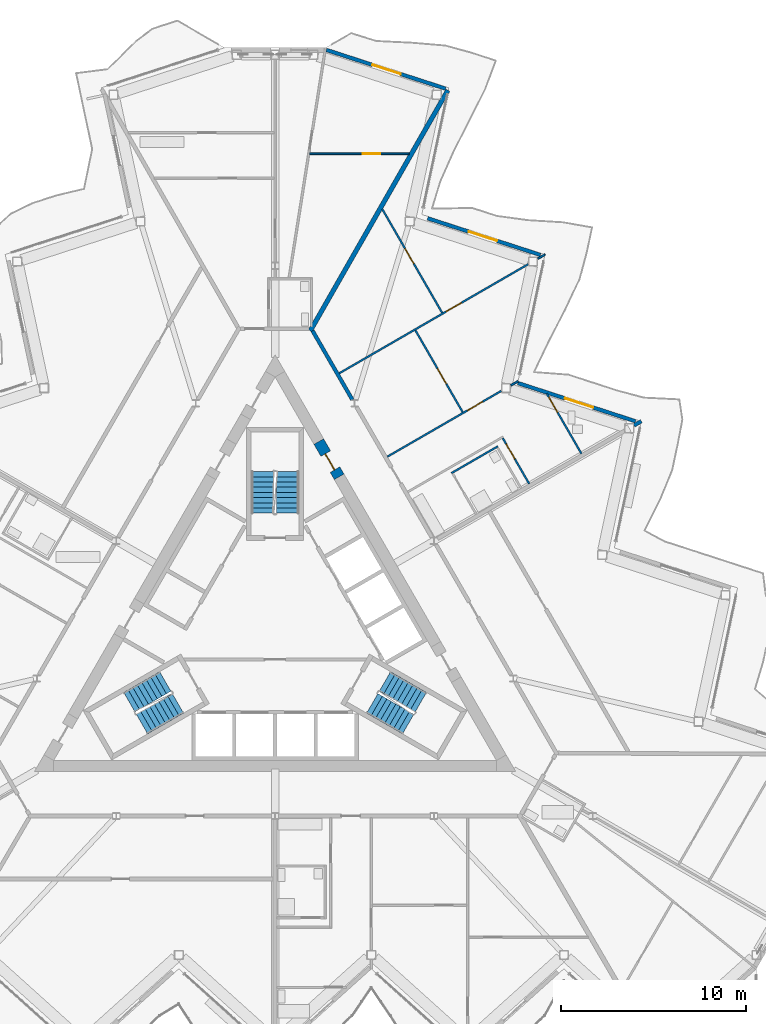
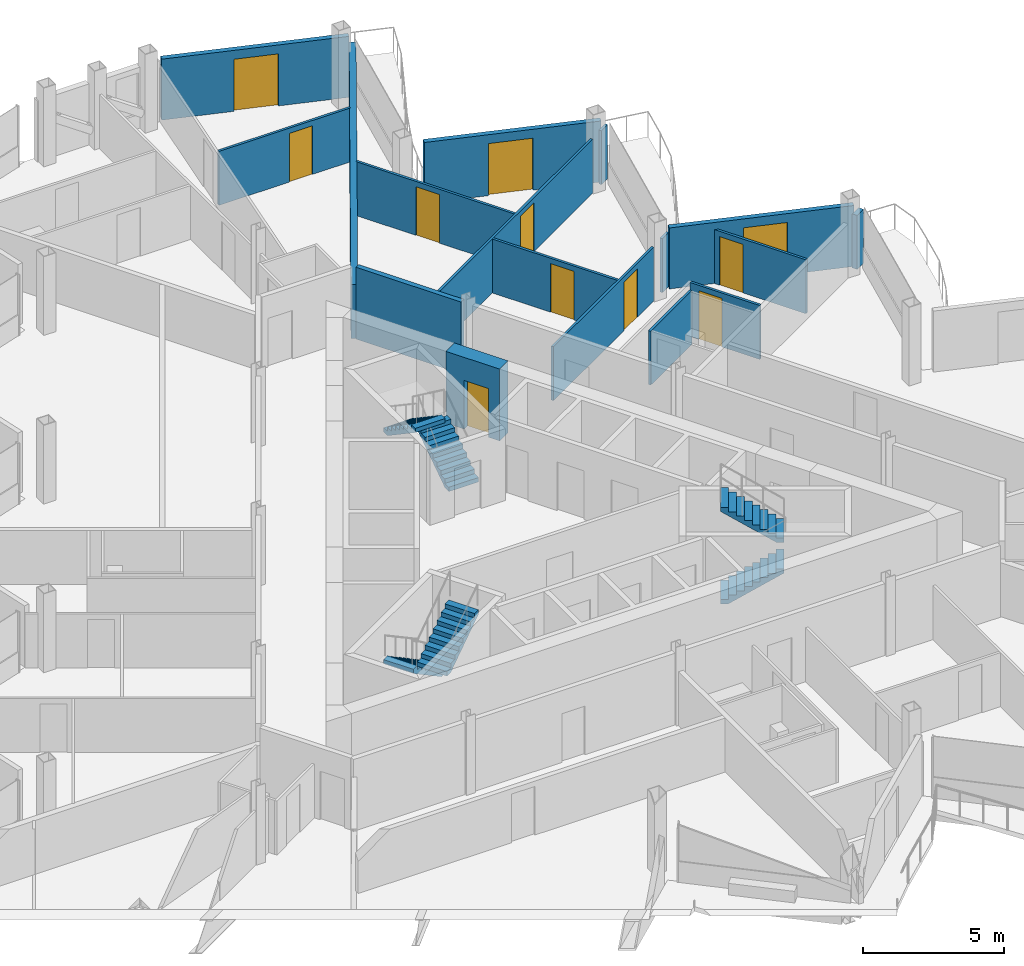
# One storey, part 18 of 27: 17 walls, 11 doors, 6 stair flights, 11 openings, 3 elements without a shape of their own.
"""IFC4 building model written with IfcOpenShell, lengths in metres."""

from ifc_helpers import new_model, si_unit, direction, frame, frame_2d, origin, place, context, subcontext, project, spatial, polyline, rectangle, outline, extrude, material, layer, layer_set, type_object, element, fill, aggregate, save


model = new_model("IFC4")

# Units and contexts
model_context = context("Model", 3, precision=1e-05, world=origin(), true_north=direction((0.0, 1.0)))
body_context = subcontext(model_context, "Body", "Model", "MODEL_VIEW")
ifc_project = project(units=[si_unit("LENGTHUNIT", "METRE"), si_unit("AREAUNIT", "SQUARE_METRE"), si_unit("VOLUMEUNIT", "CUBIC_METRE"), si_unit("PLANEANGLEUNIT", "RADIAN"), si_unit("MASSUNIT", "GRAM", prefix="KILO")], contexts=[model_context])

# Site, building, storey
site_placement = place(None, origin())
site = spatial("IfcSite", under=ifc_project, at=site_placement, CompositionType="ELEMENT")
building_placement = place(site_placement, origin())
building = spatial("IfcBuilding", under=site, at=building_placement, Name="Cormorant Prow Tower", CompositionType="ELEMENT")
storey_placement = place(building_placement, frame((0.0, 0.0, 361.0)))
storey = spatial("IfcBuildingStorey", under=building, at=storey_placement, Name="L80", CompositionType="ELEMENT", Elevation=361.0)

# Wall, opening, door
ifc_material_1 = material(Name="Concrete 8000 psi", Category="concrete")
ifc_layer_1 = layer(ifc_material_1, 0.60009765625)
ifc_layer_set_1 = layer_set([ifc_layer_1], Name="Concrete 8000 psi")
wall_type_1 = type_object("IfcWallType", Name="Core shear wall 600", PredefinedType="SHEAR", material=ifc_layer_set_1)
wall_1_placement = place(storey_placement, frame((3.460693359375, 8.416748046875, 0.0), z_axis=(0.0, 0.0, 1.0), x_axis=(-0.499946605688, 0.86605622881, 0.0)))
wall_1 = element("IfcWall", 1, at=wall_1_placement, inside=storey, type_object=wall_type_1, Name="Core wall door panel", PredefinedType="SHEAR", context=body_context, shape_type="SweptSolid", body=[
    extrude(rectangle(XDim=2.199951171875, YDim=0.60009765625, at=frame_2d((1.10009765625, 0.0))), origin(), (0.0, 0.0, 1.0), 3.10009765625),
])
opening_1_placement = place(wall_1_placement, frame((0.449951171875, 0.0, 0.0)))
opening_1 = element("IfcOpeningElement", 2, at=opening_1_placement, cuts=wall_1, Name="Opening L80-C17", PredefinedType="OPENING", context=body_context, shape_type="SweptSolid", body=[
    extrude(rectangle(XDim=1.0, YDim=2.10009765625, at=frame_2d((0.5, 1.050048828125))), frame((0.0, 0.31005859375, 0.0), z_axis=(0.0, -1.0, 0.0), x_axis=(1.0, 0.0, 0.0)), (0.0, 0.0, 1.0), 0.6201171875),
])
ifc_material_2 = material(Name="Painted steel", Category="steel")
door_type_1 = type_object("IfcDoorType", Name="Service door 1000x2100", OperationType="NOTDEFINED", PredefinedType="DOOR", material=ifc_material_2)
door_1_placement = place(opening_1_placement, origin())
door_1 = element("IfcDoor", 3, at=door_1_placement, inside=storey, type_object=door_type_1, Name="Core door, Mechanical riser room", OperationType="SINGLE_SWING_RIGHT", OverallHeight=2.10009765625, OverallWidth=1.0, PredefinedType="DOOR", context=body_context, shape_type="SweptSolid", body=[
    extrude(rectangle(XDim=1.0, YDim=2.10009765625, at=frame_2d((0.5, 1.050048828125))), frame((0.0, 0.05517578125, 0.0), z_axis=(0.0, -1.0, 0.0), x_axis=(1.0, 0.0, 0.0)), (0.0, 0.0, 1.0), 0.050048828125),
])
fill(opening_1, door_1)

# Walls
ifc_material_3 = material(Name="Gypsum board corridor wall")
ifc_layer_2 = layer(ifc_material_3, 0.199951171875)
ifc_layer_set_2 = layer_set([ifc_layer_2], Name="Gypsum board corridor wall")
wall_type_2 = type_object("IfcWallType", Name="Corridor wall 200", PredefinedType="PARTITIONING", material=ifc_layer_set_2)
wall_2_placement = place(storey_placement, frame((2.025390625, 16.302978515625, 0.0), z_axis=(0.0, 0.0, 1.0), x_axis=(0.500004215162, -0.866022970146, 0.0)))
element("IfcWall", 4, at=wall_2_placement, inside=storey, type_object=wall_type_2, Name="Corridor wall", PredefinedType="PARTITIONING", context=body_context, shape_type="SweptSolid", body=[
    extrude(rectangle(XDim=4.30029296875, YDim=0.199951171875, at=frame_2d((2.150146484375, 0.0))), origin(), (0.0, 0.0, 1.0), 3.10009765625),
])
ifc_material_4 = material(Name="Gypsum board demising wall")
ifc_layer_3 = layer(ifc_material_4, 0.199951171875)
ifc_layer_set_3 = layer_set([ifc_layer_3], Name="Gypsum board demising wall")
wall_type_3 = type_object("IfcWallType", Name="Demising wall 200", PredefinedType="PARTITIONING", material=ifc_layer_set_3)
wall_3_placement = place(storey_placement, frame((19.388671875, 11.194091796875, 0.0), z_axis=(0.0, 0.0, 1.0), x_axis=(0.866104518135, 0.499862944882, 0.0)))
element("IfcWall", 5, at=wall_3_placement, inside=storey, type_object=wall_type_3, Name="Demising wall", PredefinedType="PARTITIONING", context=body_context, shape_type="SweptSolid", body=[
    extrude(rectangle(XDim=0.451416015625, YDim=0.199951171875, at=frame_2d((0.2255859375, 0.0))), origin(), (0.0, 0.0, 1.0), 2.330078125),
])

# Wall, opening, door
ifc_material_5 = material(Name="Gypsum board partition")
ifc_layer_4 = layer(ifc_material_5, 0.10009765625)
ifc_layer_set_4 = layer_set([ifc_layer_4], Name="Gypsum board partition")
wall_type_4 = type_object("IfcWallType", Name="Internal partition 100", PredefinedType="PARTITIONING", material=ifc_layer_set_4)
wall_4_placement = place(storey_placement, frame((3.465087890625, 14.009521484375, 0.0), z_axis=(0.0, 0.0, 1.0), x_axis=(0.866032376801, 0.499987922186, 0.0)))
wall_4 = element("IfcWall", 6, at=wall_4_placement, inside=storey, type_object=wall_type_4, Name="Internal partition", PredefinedType="PARTITIONING", context=body_context, shape_type="SweptSolid", body=[
    extrude(rectangle(XDim=11.781982421875, YDim=0.10009765625, at=frame_2d((5.89111328125, 0.0))), origin(), (0.0, 0.0, 1.0), 2.330078125),
])
opening_2_placement = place(wall_4_placement, frame((6.669921875, 0.0, 0.0)))
opening_2 = element("IfcOpeningElement", 7, at=opening_2_placement, cuts=wall_4, Name="Opening L80-F25", PredefinedType="OPENING", context=body_context, shape_type="SweptSolid", body=[
    extrude(rectangle(XDim=0.949951171875, YDim=2.10009765625, at=frame_2d((0.47509765625, 1.050048828125))), frame((0.0, 0.06005859375, 0.0), z_axis=(0.0, -1.0, 0.0), x_axis=(1.0, 0.0, 0.0)), (0.0, 0.0, 1.0), 0.1201171875),
])
ifc_material_6 = material(Name="Timber door leaf", Category="wood")
door_type_2 = type_object("IfcDoorType", Name="Bathroom door 950x2100", OperationType="NOTDEFINED", PredefinedType="DOOR", material=ifc_material_6)
door_2_placement = place(opening_2_placement, origin())
door_2 = element("IfcDoor", 8, at=door_2_placement, inside=storey, type_object=door_type_2, Name="Bedroom door", OperationType="SINGLE_SWING_LEFT", OverallHeight=2.10009765625, OverallWidth=0.949951171875, PredefinedType="DOOR", context=body_context, shape_type="SweptSolid", body=[
    extrude(rectangle(XDim=0.949951171875, YDim=2.10009765625, at=frame_2d((0.47509765625, 1.050048828125))), frame((0.0, 0.02490234375, 0.0), z_axis=(0.0, -1.0, 0.0), x_axis=(1.0, 0.0, 0.0)), (0.0, 0.0, 1.0), 0.050048828125),
])
fill(opening_2, door_2)

wall_5_placement = place(storey_placement, frame((6.065185546875, 9.506103515625, 0.0), z_axis=(0.0, 0.0, 1.0), x_axis=(0.866018949465, 0.500011179042, 0.0)))
wall_5 = element("IfcWall", 9, at=wall_5_placement, inside=storey, type_object=wall_type_4, Name="Internal partition", PredefinedType="PARTITIONING", context=body_context, shape_type="SweptSolid", body=[
    extrude(rectangle(XDim=7.099853515625, YDim=0.10009765625, at=frame_2d((3.5498046875, 0.0))), origin(), (0.0, 0.0, 1.0), 2.330078125),
])
opening_3_placement = place(wall_5_placement, frame((4.991943359375, 0.0, 0.0)))
opening_3 = element("IfcOpeningElement", 10, at=opening_3_placement, cuts=wall_5, Name="Opening L80-F23", PredefinedType="OPENING", context=body_context, shape_type="SweptSolid", body=[
    extrude(rectangle(XDim=0.949951171875, YDim=2.10009765625, at=frame_2d((0.47509765625, 1.050048828125))), frame((0.0, 0.06005859375, 0.0), z_axis=(0.0, -1.0, 0.0), x_axis=(1.0, 0.0, 0.0)), (0.0, 0.0, 1.0), 0.1201171875),
])
door_3_placement = place(opening_3_placement, origin())
door_3 = element("IfcDoor", 11, at=door_3_placement, inside=storey, type_object=door_type_2, Name="Living room door", OperationType="SINGLE_SWING_LEFT", OverallHeight=2.10009765625, OverallWidth=0.949951171875, PredefinedType="DOOR", context=body_context, shape_type="SweptSolid", body=[
    extrude(rectangle(XDim=0.949951171875, YDim=2.10009765625, at=frame_2d((0.47509765625, 1.050048828125))), frame((0.0, 0.02490234375, 0.0), z_axis=(0.0, -1.0, 0.0), x_axis=(1.0, 0.0, 0.0)), (0.0, 0.0, 1.0), 0.050048828125),
])
fill(opening_3, door_3)

wall_6_placement = place(storey_placement, frame((5.787353515625, 22.882080078125, 0.0), z_axis=(0.0, 0.0, 1.0), x_axis=(0.500001069878, -0.866024786089, 0.0)))
wall_6 = element("IfcWall", 12, at=wall_6_placement, inside=storey, type_object=wall_type_4, Name="Internal partition", PredefinedType="PARTITIONING", context=body_context, shape_type="SweptSolid", body=[
    extrude(rectangle(XDim=6.47265625, YDim=0.10009765625, at=frame_2d((3.236328125, 0.0))), origin(), (0.0, 0.0, 1.0), 2.330078125),
])
opening_4_placement = place(wall_6_placement, frame((2.4599609375, 0.0, 0.0)))
opening_4 = element("IfcOpeningElement", 13, at=opening_4_placement, cuts=wall_6, Name="Opening L80-F26", PredefinedType="OPENING", context=body_context, shape_type="SweptSolid", body=[
    extrude(rectangle(XDim=0.949951171875, YDim=2.10009765625, at=frame_2d((0.47509765625, 1.050048828125))), frame((0.0, 0.06005859375, 0.0), z_axis=(0.0, -1.0, 0.0), x_axis=(1.0, 0.0, 0.0)), (0.0, 0.0, 1.0), 0.1201171875),
])
door_4_placement = place(opening_4_placement, origin())
door_4 = element("IfcDoor", 14, at=door_4_placement, inside=storey, type_object=door_type_2, Name="Bedroom door", OperationType="SINGLE_SWING_LEFT", OverallHeight=2.10009765625, OverallWidth=0.949951171875, PredefinedType="DOOR", context=body_context, shape_type="SweptSolid", body=[
    extrude(rectangle(XDim=0.949951171875, YDim=2.10009765625, at=frame_2d((0.47509765625, 1.050048828125))), frame((0.0, 0.02490234375, 0.0), z_axis=(0.0, -1.0, 0.0), x_axis=(1.0, 0.0, 0.0)), (0.0, 0.0, 1.0), 0.050048828125),
])
fill(opening_4, door_4)

wall_7_placement = place(storey_placement, frame((1.8671875, 25.865478515625, 0.0), z_axis=(0.0, 0.0, 1.0), x_axis=(1.0, 0.0, 0.0)))
wall_7 = element("IfcWall", 15, at=wall_7_placement, inside=storey, type_object=wall_type_4, Name="Internal partition", PredefinedType="PARTITIONING", context=body_context, shape_type="SweptSolid", body=[
    extrude(rectangle(XDim=5.37646484375, YDim=0.10009765625, at=frame_2d((2.688232421875, 0.0))), origin(), (0.0, 0.0, 1.0), 2.330078125),
])
opening_5_placement = place(wall_7_placement, frame((2.86767578125, 0.0, 0.0)))
opening_5 = element("IfcOpeningElement", 16, at=opening_5_placement, cuts=wall_7, Name="Opening L80-F34", PredefinedType="OPENING", context=body_context, shape_type="SweptSolid", body=[
    extrude(rectangle(XDim=0.949951171875, YDim=2.10009765625, at=frame_2d((0.47509765625, 1.050048828125))), frame((0.0, 0.06005859375, 0.0), z_axis=(0.0, -1.0, 0.0), x_axis=(1.0, 0.0, 0.0)), (0.0, 0.0, 1.0), 0.1201171875),
])
door_5_placement = place(opening_5_placement, origin())
door_5 = element("IfcDoor", 17, at=door_5_placement, inside=storey, type_object=door_type_2, Name="Bedroom door", OperationType="SINGLE_SWING_RIGHT", OverallHeight=2.10009765625, OverallWidth=0.949951171875, PredefinedType="DOOR", context=body_context, shape_type="SweptSolid", body=[
    extrude(rectangle(XDim=0.949951171875, YDim=2.10009765625, at=frame_2d((0.47509765625, 1.050048828125))), frame((0.0, 0.02490234375, 0.0), z_axis=(0.0, -1.0, 0.0), x_axis=(1.0, 0.0, 0.0)), (0.0, 0.0, 1.0), 0.050048828125),
])
fill(opening_5, door_5)

wall_8_placement = place(storey_placement, frame((7.580810546875, 16.327880859375, 0.0), z_axis=(0.0, 0.0, 1.0), x_axis=(0.500005610874, -0.86602216432, 0.0)))
wall_8 = element("IfcWall", 18, at=wall_8_placement, inside=storey, type_object=wall_type_4, Name="Internal partition", PredefinedType="PARTITIONING", context=body_context, shape_type="SweptSolid", body=[
    extrude(rectangle(XDim=5.10009765625, YDim=0.10009765625, at=frame_2d((2.550048828125, 0.0))), origin(), (0.0, 0.0, 1.0), 2.330078125),
])
opening_6_placement = place(wall_8_placement, frame((2.379150390625, 0.0, 0.0)))
opening_6 = element("IfcOpeningElement", 19, at=opening_6_placement, cuts=wall_8, Name="Opening L80-F24", PredefinedType="OPENING", context=body_context, shape_type="SweptSolid", body=[
    extrude(rectangle(XDim=0.949951171875, YDim=2.10009765625, at=frame_2d((0.47509765625, 1.050048828125))), frame((0.0, 0.06005859375, 0.0), z_axis=(0.0, -1.0, 0.0), x_axis=(1.0, 0.0, 0.0)), (0.0, 0.0, 1.0), 0.1201171875),
])
door_6_placement = place(opening_6_placement, origin())
door_6 = element("IfcDoor", 20, at=door_6_placement, inside=storey, type_object=door_type_2, Name="Bedroom door", OperationType="SINGLE_SWING_LEFT", OverallHeight=2.10009765625, OverallWidth=0.949951171875, PredefinedType="DOOR", context=body_context, shape_type="SweptSolid", body=[
    extrude(rectangle(XDim=0.949951171875, YDim=2.10009765625, at=frame_2d((0.47509765625, 1.050048828125))), frame((0.0, 0.02490234375, 0.0), z_axis=(0.0, -1.0, 0.0), x_axis=(1.0, 0.0, 0.0)), (0.0, 0.0, 1.0), 0.050048828125),
])
fill(opening_6, door_6)

wall_9_placement = place(storey_placement, frame((14.671142578125, 12.917724609375, 0.0), z_axis=(0.0, 0.0, 1.0), x_axis=(0.499981580887, -0.866036037803, 0.0)))
wall_9 = element("IfcWall", 21, at=wall_9_placement, inside=storey, type_object=wall_type_4, Name="Internal partition", PredefinedType="PARTITIONING", context=body_context, shape_type="SweptSolid", body=[
    extrude(rectangle(XDim=3.751708984375, YDim=0.10009765625, at=frame_2d((1.8759765625, 0.0))), origin(), (0.0, 0.0, 1.0), 2.330078125),
])
opening_7_placement = place(wall_9_placement, frame((0.222412109375, 0.0, 0.0)))
opening_7 = element("IfcOpeningElement", 22, at=opening_7_placement, cuts=wall_9, Name="Opening L80-F21", PredefinedType="OPENING", context=body_context, shape_type="SweptSolid", body=[
    extrude(rectangle(XDim=0.949951171875, YDim=2.10009765625, at=frame_2d((0.47509765625, 1.050048828125))), frame((0.0, 0.06005859375, 0.0), z_axis=(0.0, -1.0, 0.0), x_axis=(1.0, 0.0, 0.0)), (0.0, 0.0, 1.0), 0.1201171875),
])
door_7_placement = place(opening_7_placement, origin())
door_7 = element("IfcDoor", 23, at=door_7_placement, inside=storey, type_object=door_type_2, Name="Living room door", OperationType="SINGLE_SWING_LEFT", OverallHeight=2.10009765625, OverallWidth=0.949951171875, PredefinedType="DOOR", context=body_context, shape_type="SweptSolid", body=[
    extrude(rectangle(XDim=0.949951171875, YDim=2.10009765625, at=frame_2d((0.47509765625, 1.050048828125))), frame((0.0, 0.02490234375, 0.0), z_axis=(0.0, -1.0, 0.0), x_axis=(1.0, 0.0, 0.0)), (0.0, 0.0, 1.0), 0.050048828125),
])
fill(opening_7, door_7)

wall_10_placement = place(storey_placement, frame((12.299560546875, 10.507568359375, 0.0), z_axis=(0.0, 0.0, 1.0), x_axis=(0.499999279071, -0.866025820012, 0.0)))
wall_10 = element("IfcWall", 24, at=wall_10_placement, inside=storey, type_object=wall_type_4, Name="Internal partition", PredefinedType="PARTITIONING", context=body_context, shape_type="SweptSolid", body=[
    extrude(rectangle(XDim=2.85009765625, YDim=0.10009765625, at=frame_2d((1.425048828125, 0.0))), origin(), (0.0, 0.0, 1.0), 2.330078125),
])
opening_8_placement = place(wall_10_placement, frame((0.357666015625, 0.0, 0.0)))
opening_8 = element("IfcOpeningElement", 25, at=opening_8_placement, cuts=wall_10, Name="Opening L80-F22", PredefinedType="OPENING", context=body_context, shape_type="SweptSolid", body=[
    extrude(rectangle(XDim=0.949951171875, YDim=2.10009765625, at=frame_2d((0.47509765625, 1.050048828125))), frame((0.0, 0.06005859375, 0.0), z_axis=(0.0, -1.0, 0.0), x_axis=(1.0, 0.0, 0.0)), (0.0, 0.0, 1.0), 0.1201171875),
])
door_8_placement = place(opening_8_placement, origin())
door_8 = element("IfcDoor", 26, at=door_8_placement, inside=storey, type_object=door_type_2, Name="Living room door", OperationType="SINGLE_SWING_LEFT", OverallHeight=2.10009765625, OverallWidth=0.949951171875, PredefinedType="DOOR", context=body_context, shape_type="SweptSolid", body=[
    extrude(rectangle(XDim=0.949951171875, YDim=2.10009765625, at=frame_2d((0.47509765625, 1.050048828125))), frame((0.0, 0.02490234375, 0.0), z_axis=(0.0, -1.0, 0.0), x_axis=(1.0, 0.0, 0.0)), (0.0, 0.0, 1.0), 0.050048828125),
])
fill(opening_8, door_8)

# Walls
wall_11_placement = place(storey_placement, frame((9.5234375, 8.615966796875, 0.0), z_axis=(0.0, 0.0, 1.0), x_axis=(0.866032775405, 0.499987231761, 0.0)))
element("IfcWall", 27, at=wall_11_placement, inside=storey, type_object=wall_type_4, Name="Internal partition", PredefinedType="PARTITIONING", context=body_context, shape_type="SweptSolid", body=[
    extrude(rectangle(XDim=2.89990234375, YDim=0.10009765625, at=frame_2d((1.449951171875, 0.0))), origin(), (0.0, 0.0, 1.0), 2.330078125),
])
for number, where, z_axis, x_axis, name in (
    (28, (14.188720703125, 20.20068359375, 0.0), (0.0, 0.0, 1.0), (0.865870279271, 0.500268587336, 0.0), "Internal partition"),
    (29, (12.73388671875, 13.356201171875, 0.0), (0.0, 0.0, 1.0), (0.865870279271, 0.500268587336, 0.0), "Internal partition"),
):
    element("IfcWall", number, at=place(storey_placement, frame(where, z_axis=z_axis, x_axis=x_axis)), inside=storey, type_object=wall_type_4, Name=name, PredefinedType="PARTITIONING", context=body_context, shape_type="SweptSolid", body=[
        extrude(rectangle(XDim=0.451416015625, YDim=0.10009765625, at=frame_2d((0.2255859375, 0.0))), origin(), (0.0, 0.0, 1.0), 2.330078125),
    ])
ifc_material_7 = material(Name="Acoustic gypsum party wall")
ifc_layer_5 = layer(ifc_material_7, 0.25)
ifc_layer_set_5 = layer_set([ifc_layer_5], Name="Acoustic gypsum party wall")
wall_type_5 = type_object("IfcWallType", Name="Suite party wall 250", PredefinedType="PARTITIONING", material=ifc_layer_set_5)
wall_12_placement = place(storey_placement, frame((1.90087890625, 16.302490234375, 0.0), z_axis=(0.0, 0.0, 1.0), x_axis=(0.496368960053, 0.86811166073, 0.0)))
element("IfcWall", 30, at=wall_12_placement, inside=storey, type_object=wall_type_5, Name="Suite party wall", PredefinedType="PARTITIONING", context=body_context, shape_type="SweptSolid", body=[
    extrude(rectangle(XDim=14.972412109375, YDim=0.25, at=frame_2d((7.486328125, 0.0))), origin(), (0.0, 0.0, 1.0), 2.330078125),
])

# Wall, opening, door
ifc_material_8 = material(Name="Terracotta", Category="masonry")
ifc_layer_6 = layer(ifc_material_8, 0.199951171875)
ifc_layer_set_6 = layer_set([ifc_layer_6], Name="Terracotta")
wall_type_6 = type_object("IfcWallType", Name="Terracotta jamb wall 200", PredefinedType="SOLIDWALL", material=ifc_layer_set_6)
wall_13_placement = place(storey_placement, frame((19.466552734375, 11.416259765625, 0.0), z_axis=(0.0, 0.0, 1.0), x_axis=(-0.951057706878, 0.309013330114, 0.0)))
wall_13 = element("IfcWall", 31, at=wall_13_placement, inside=storey, type_object=wall_type_6, Name="Terracotta jamb wall ENE05", PredefinedType="SOLIDWALL", context=body_context, shape_type="SweptSolid", body=[
    extrude(rectangle(XDim=6.678466796875, YDim=0.199951171875, at=frame_2d((3.33935546875, 0.0))), origin(), (0.0, 0.0, 1.0), 2.6337890625),
])
opening_9_placement = place(wall_13_placement, frame((2.402099609375, 0.0, 0.0)))
opening_9 = element("IfcOpeningElement", 32, at=opening_9_placement, cuts=wall_13, Name="Opening ED80.08", PredefinedType="OPENING", context=body_context, shape_type="SweptSolid", body=[
    extrude(rectangle(XDim=1.60009765625, YDim=2.25, at=frame_2d((0.800048828125, 1.125))), frame((0.0, 0.10986328125, 0.0), z_axis=(0.0, -1.0, 0.0), x_axis=(1.0, 0.0, 0.0)), (0.0, 0.0, 1.0), 0.219970703125),
])
ifc_material_9 = material(Name="Aluminium 6063-T6", Category="aluminium")
door_type_3 = type_object("IfcDoorType", Name="Balcony door 1600x2250", OperationType="DOUBLE_DOOR_SINGLE_SWING", PredefinedType="DOOR", material=ifc_material_9)
door_9_placement = place(opening_9_placement, origin())
door_9 = element("IfcDoor", 33, at=door_9_placement, inside=storey, type_object=door_type_3, Name="Balcony door ENE05 ED80.08", OperationType="DOUBLE_DOOR_SINGLE_SWING", OverallHeight=2.25, OverallWidth=1.60009765625, PredefinedType="DOOR", context=body_context, shape_type="SweptSolid", body=[
    extrude(rectangle(XDim=1.60009765625, YDim=2.25, at=frame_2d((0.800048828125, 1.125))), frame((0.0, 0.02490234375, 0.0), z_axis=(0.0, -1.0, 0.0), x_axis=(1.0, 0.0, 0.0)), (0.0, 0.0, 1.0), 0.050048828125),
])
fill(opening_9, door_9)

wall_14_placement = place(storey_placement, frame((14.33056640625, 20.402099609375, 0.0), z_axis=(0.0, 0.0, 1.0), x_axis=(-0.951058447414, 0.30901105094, 0.0)))
wall_14 = element("IfcWall", 34, at=wall_14_placement, inside=storey, type_object=wall_type_6, Name="Terracotta jamb wall ENE07", PredefinedType="SOLIDWALL", context=body_context, shape_type="SweptSolid", body=[
    extrude(rectangle(XDim=6.40185546875, YDim=0.199951171875, at=frame_2d((3.200927734375, 0.0))), origin(), (0.0, 0.0, 1.0), 2.6337890625),
])
opening_10_placement = place(wall_14_placement, frame((2.46923828125, 0.0, 0.0)))
opening_10 = element("IfcOpeningElement", 35, at=opening_10_placement, cuts=wall_14, Name="Opening ED80.09", PredefinedType="OPENING", context=body_context, shape_type="SweptSolid", body=[
    extrude(rectangle(XDim=1.60009765625, YDim=2.25, at=frame_2d((0.800048828125, 1.125))), frame((0.0, 0.10986328125, 0.0), z_axis=(0.0, -1.0, 0.0), x_axis=(1.0, 0.0, 0.0)), (0.0, 0.0, 1.0), 0.219970703125),
])
door_10_placement = place(opening_10_placement, origin())
door_10 = element("IfcDoor", 36, at=door_10_placement, inside=storey, type_object=door_type_3, Name="Balcony door ENE07 ED80.09", OperationType="DOUBLE_DOOR_SINGLE_SWING", OverallHeight=2.25, OverallWidth=1.60009765625, PredefinedType="DOOR", context=body_context, shape_type="SweptSolid", body=[
    extrude(rectangle(XDim=1.60009765625, YDim=2.25, at=frame_2d((0.800048828125, 1.125))), frame((0.0, 0.02490234375, 0.0), z_axis=(0.0, -1.0, 0.0), x_axis=(1.0, 0.0, 0.0)), (0.0, 0.0, 1.0), 0.050048828125),
])
fill(opening_10, door_10)

wall_15_placement = place(storey_placement, frame((9.216064453125, 29.381103515625, 0.0), z_axis=(0.0, 0.0, 1.0), x_axis=(-0.951058150748, 0.309011964002, 0.0)))
wall_15 = element("IfcWall", 37, at=wall_15_placement, inside=storey, type_object=wall_type_6, Name="Terracotta jamb wall ENE09", PredefinedType="SOLIDWALL", context=body_context, shape_type="SweptSolid", body=[
    extrude(rectangle(XDim=6.77880859375, YDim=0.199951171875, at=frame_2d((3.389404296875, 0.0))), origin(), (0.0, 0.0, 1.0), 2.6337890625),
])
opening_11_placement = place(wall_15_placement, frame((2.559326171875, 0.0, 0.0)))
opening_11 = element("IfcOpeningElement", 38, at=opening_11_placement, cuts=wall_15, Name="Opening ED80.10", PredefinedType="OPENING", context=body_context, shape_type="SweptSolid", body=[
    extrude(rectangle(XDim=1.60009765625, YDim=2.25, at=frame_2d((0.800048828125, 1.125))), frame((0.0, 0.10986328125, 0.0), z_axis=(0.0, -1.0, 0.0), x_axis=(1.0, 0.0, 0.0)), (0.0, 0.0, 1.0), 0.219970703125),
])
door_11_placement = place(opening_11_placement, origin())
door_11 = element("IfcDoor", 39, at=door_11_placement, inside=storey, type_object=door_type_3, Name="Balcony door ENE09 ED80.10", OperationType="DOUBLE_DOOR_SINGLE_SWING", OverallHeight=2.25, OverallWidth=1.60009765625, PredefinedType="DOOR", context=body_context, shape_type="SweptSolid", body=[
    extrude(rectangle(XDim=1.60009765625, YDim=2.25, at=frame_2d((0.800048828125, 1.125))), frame((0.0, 0.02490234375, 0.0), z_axis=(0.0, -1.0, 0.0), x_axis=(1.0, 0.0, 0.0)), (0.0, 0.0, 1.0), 0.050048828125),
])
fill(opening_11, door_11)

# Stair, stair flights
ifc_material_10 = material(Name="Exit stair 18 risers")
stair_type = type_object("IfcStairType", Name="Exit stair 18 risers", PredefinedType="HALF_TURN_STAIR", material=ifc_material_10)
stair_1_placement = place(storey_placement, origin())
stair_1 = element("IfcStair", 40, at=stair_1_placement, inside=storey, type_object=stair_type, Name="L80 Exit stair ST1", PredefinedType="HALF_TURN_STAIR")
ifc_material_11 = material(Name="Concrete 5000 psi", Category="concrete")
stair_flight_type = type_object("IfcStairFlightType", Name="Stair flight 1219", PredefinedType="STRAIGHT", material=ifc_material_11)
stair_flight_1_placement = place(storey_placement, frame((-5.93310546875, -2.635009765625, 0.0), z_axis=(0.0, 0.0, 1.0), x_axis=(-0.866025403784, -0.5, 0.0)))
stair_flight_1 = element("IfcStairFlight", 41, at=stair_flight_1_placement, type_object=stair_flight_type, Name="ST1 flight 1", NumberOfRisers=9, NumberOfTreads=8, PredefinedType="STRAIGHT", RiserHeight=0.188888889, TreadLength=0.28, context=body_context, shape_type="SweptSolid", body=[
    extrude(outline(polyline([(0.0, 0.0), (0.0, 0.18896484375), (0.280029296875, 0.18896484375), (0.280029296875, 0.377685546875), (0.56005859375, 0.377685546875), (0.56005859375, 0.566650390625), (0.840087890625, 0.566650390625), (0.840087890625, 0.755615234375), (1.1201171875, 0.755615234375), (1.1201171875, 0.9443359375), (1.39990234375, 0.9443359375), (1.39990234375, 1.13330078125), (1.679931640625, 1.13330078125), (1.679931640625, 1.322265625), (1.9599609375, 1.322265625), (1.9599609375, 1.51123046875), (2.239990234375, 1.51123046875), (2.239990234375, 1.699951171875), (2.239990234375, 1.330322265625), (0.26806640625, 0.0), (0.0, 0.0)])), frame((0.0, 0.609375, 0.0), z_axis=(0.0, -1.0, 0.0), x_axis=(1.0, 0.0, 0.0)), (0.0, 0.0, 1.0), 1.218994140625),
])
stair_flight_2_placement = place(storey_placement, frame((-7.1884765625, -4.940673828125, 1.699951171875), z_axis=(0.0, 0.0, 1.0), x_axis=(0.866025403784, 0.5, 0.0)))
stair_flight_2 = element("IfcStairFlight", 42, at=stair_flight_2_placement, type_object=stair_flight_type, Name="ST1 flight 2", NumberOfRisers=9, NumberOfTreads=8, PredefinedType="STRAIGHT", RiserHeight=0.188888889, TreadLength=0.28, context=body_context, shape_type="SweptSolid", body=[
    extrude(outline(polyline([(0.0, 0.0), (0.0, 0.18896484375), (0.280029296875, 0.18896484375), (0.280029296875, 0.377685546875), (0.56005859375, 0.377685546875), (0.56005859375, 0.566650390625), (0.840087890625, 0.566650390625), (0.840087890625, 0.755615234375), (1.1201171875, 0.755615234375), (1.1201171875, 0.9443359375), (1.39990234375, 0.9443359375), (1.39990234375, 1.13330078125), (1.679931640625, 1.13330078125), (1.679931640625, 1.322265625), (1.9599609375, 1.322265625), (1.9599609375, 1.51123046875), (2.239990234375, 1.51123046875), (2.239990234375, 1.699951171875), (2.239990234375, 1.330322265625), (0.26806640625, 0.0), (0.0, 0.0)])), frame((0.0, 0.609375, 0.0), z_axis=(0.0, -1.0, 0.0), x_axis=(1.0, 0.0, 0.0)), (0.0, 0.0, 1.0), 1.218994140625),
])
aggregate(stair_1, [stair_flight_1, stair_flight_2])

stair_2_placement = place(storey_placement, origin())
stair_2 = element("IfcStair", 43, at=stair_2_placement, inside=storey, type_object=stair_type, Name="L80 Exit stair ST2", PredefinedType="HALF_TURN_STAIR")
stair_flight_3_placement = place(storey_placement, frame((5.24853515625, -3.82080078125, 0.0), z_axis=(0.0, 0.0, 1.0), x_axis=(0.866025403784, -0.5, 0.0)))
stair_flight_3 = element("IfcStairFlight", 44, at=stair_flight_3_placement, type_object=stair_flight_type, Name="ST2 flight 1", NumberOfRisers=9, NumberOfTreads=8, PredefinedType="STRAIGHT", RiserHeight=0.188888889, TreadLength=0.28, context=body_context, shape_type="SweptSolid", body=[
    extrude(outline(polyline([(0.0, 0.0), (0.0, 0.18896484375), (0.280029296875, 0.18896484375), (0.280029296875, 0.377685546875), (0.56005859375, 0.377685546875), (0.56005859375, 0.566650390625), (0.840087890625, 0.566650390625), (0.840087890625, 0.755615234375), (1.1201171875, 0.755615234375), (1.1201171875, 0.9443359375), (1.39990234375, 0.9443359375), (1.39990234375, 1.13330078125), (1.679931640625, 1.13330078125), (1.679931640625, 1.322265625), (1.9599609375, 1.322265625), (1.9599609375, 1.51123046875), (2.239990234375, 1.51123046875), (2.239990234375, 1.699951171875), (2.239990234375, 1.330322265625), (0.26806640625, 0.0), (0.0, 0.0)])), frame((0.0, 0.609375, 0.0), z_axis=(0.0, -1.0, 0.0), x_axis=(1.0, 0.0, 0.0)), (0.0, 0.0, 1.0), 1.218994140625),
])
stair_flight_4_placement = place(storey_placement, frame((7.873046875, -3.755126953125, 1.699951171875), z_axis=(0.0, 0.0, 1.0), x_axis=(-0.866025403784, 0.5, 0.0)))
stair_flight_4 = element("IfcStairFlight", 45, at=stair_flight_4_placement, type_object=stair_flight_type, Name="ST2 flight 2", NumberOfRisers=9, NumberOfTreads=8, PredefinedType="STRAIGHT", RiserHeight=0.188888889, TreadLength=0.28, context=body_context, shape_type="SweptSolid", body=[
    extrude(outline(polyline([(0.0, 0.0), (0.0, 0.18896484375), (0.280029296875, 0.18896484375), (0.280029296875, 0.377685546875), (0.56005859375, 0.377685546875), (0.56005859375, 0.566650390625), (0.840087890625, 0.566650390625), (0.840087890625, 0.755615234375), (1.1201171875, 0.755615234375), (1.1201171875, 0.9443359375), (1.39990234375, 0.9443359375), (1.39990234375, 1.13330078125), (1.679931640625, 1.13330078125), (1.679931640625, 1.322265625), (1.9599609375, 1.322265625), (1.9599609375, 1.51123046875), (2.239990234375, 1.51123046875), (2.239990234375, 1.699951171875), (2.239990234375, 1.330322265625), (0.26806640625, 0.0), (0.0, 0.0)])), frame((0.0, 0.609375, 0.0), z_axis=(0.0, -1.0, 0.0), x_axis=(1.0, 0.0, 0.0)), (0.0, 0.0, 1.0), 1.218994140625),
])
aggregate(stair_2, [stair_flight_3, stair_flight_4])

stair_3_placement = place(storey_placement, origin())
stair_3 = element("IfcStair", 46, at=stair_3_placement, inside=storey, type_object=stair_type, Name="L80 Exit stair ST3", PredefinedType="HALF_TURN_STAIR")
stair_flight_5_placement = place(storey_placement, frame((0.6845703125, 6.455810546875, 0.0), z_axis=(0.0, 0.0, 1.0), x_axis=(0.0, 1.0, 0.0)))
stair_flight_5 = element("IfcStairFlight", 47, at=stair_flight_5_placement, type_object=stair_flight_type, Name="ST3 flight 1", NumberOfRisers=9, NumberOfTreads=8, PredefinedType="STRAIGHT", RiserHeight=0.188888889, TreadLength=0.28, context=body_context, shape_type="SweptSolid", body=[
    extrude(outline(polyline([(0.0, 0.0), (0.0, 0.18896484375), (0.280029296875, 0.18896484375), (0.280029296875, 0.377685546875), (0.56005859375, 0.377685546875), (0.56005859375, 0.566650390625), (0.840087890625, 0.566650390625), (0.840087890625, 0.755615234375), (1.1201171875, 0.755615234375), (1.1201171875, 0.9443359375), (1.39990234375, 0.9443359375), (1.39990234375, 1.13330078125), (1.679931640625, 1.13330078125), (1.679931640625, 1.322265625), (1.9599609375, 1.322265625), (1.9599609375, 1.51123046875), (2.239990234375, 1.51123046875), (2.239990234375, 1.699951171875), (2.239990234375, 1.330322265625), (0.26806640625, 0.0), (0.0, 0.0)])), frame((0.0, 0.609375, 0.0), z_axis=(0.0, -1.0, 0.0), x_axis=(1.0, 0.0, 0.0)), (0.0, 0.0, 1.0), 1.218994140625),
])
stair_flight_6_placement = place(storey_placement, frame((-0.6845703125, 8.69580078125, 1.699951171875), z_axis=(0.0, 0.0, 1.0), x_axis=(0.0, -1.0, 0.0)))
stair_flight_6 = element("IfcStairFlight", 48, at=stair_flight_6_placement, type_object=stair_flight_type, Name="ST3 flight 2", NumberOfRisers=9, NumberOfTreads=8, PredefinedType="STRAIGHT", RiserHeight=0.188888889, TreadLength=0.28, context=body_context, shape_type="SweptSolid", body=[
    extrude(outline(polyline([(0.0, 0.0), (0.0, 0.18896484375), (0.280029296875, 0.18896484375), (0.280029296875, 0.377685546875), (0.56005859375, 0.377685546875), (0.56005859375, 0.566650390625), (0.840087890625, 0.566650390625), (0.840087890625, 0.755615234375), (1.1201171875, 0.755615234375), (1.1201171875, 0.9443359375), (1.39990234375, 0.9443359375), (1.39990234375, 1.13330078125), (1.679931640625, 1.13330078125), (1.679931640625, 1.322265625), (1.9599609375, 1.322265625), (1.9599609375, 1.51123046875), (2.239990234375, 1.51123046875), (2.239990234375, 1.699951171875), (2.239990234375, 1.330322265625), (0.26806640625, 0.0), (0.0, 0.0)])), frame((0.0, 0.609375, 0.0), z_axis=(0.0, -1.0, 0.0), x_axis=(1.0, 0.0, 0.0)), (0.0, 0.0, 1.0), 1.218994140625),
])
aggregate(stair_3, [stair_flight_5, stair_flight_6])

save(model, "model.ifc")
